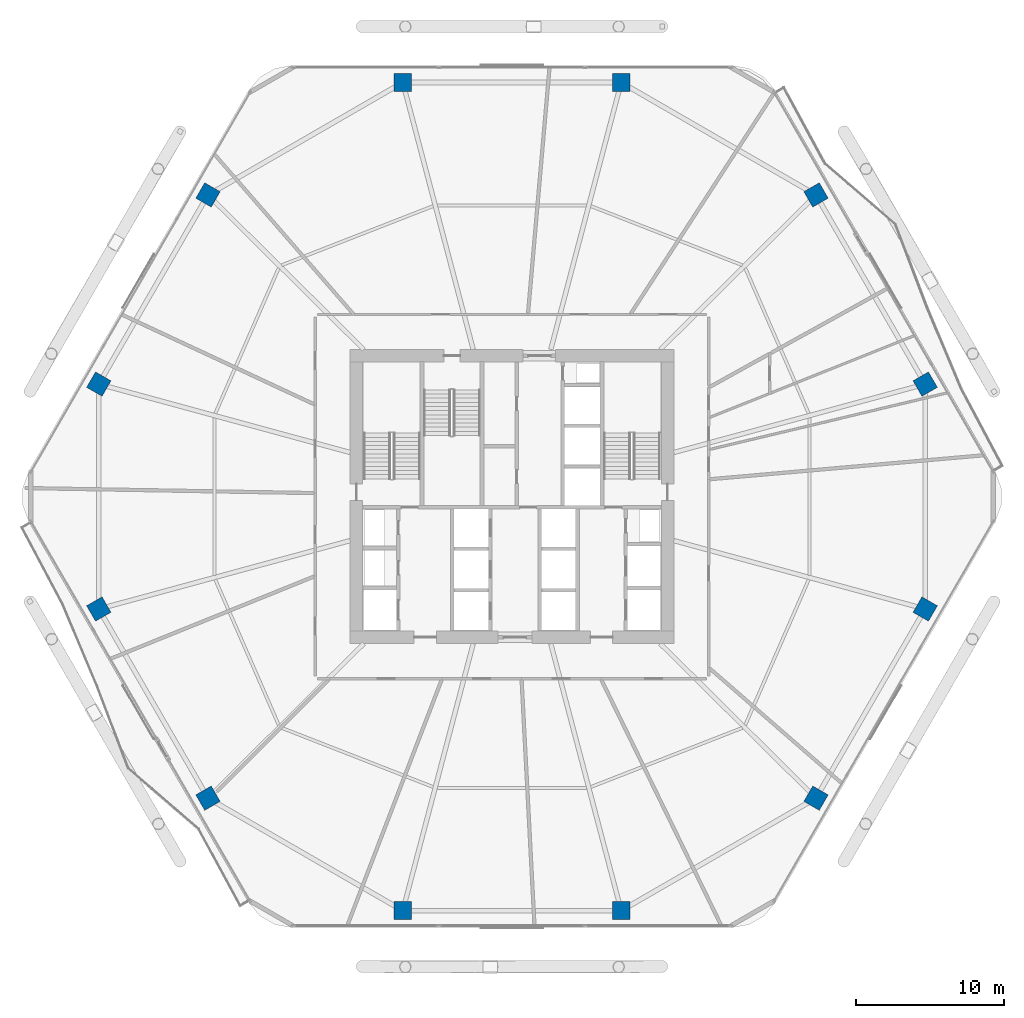
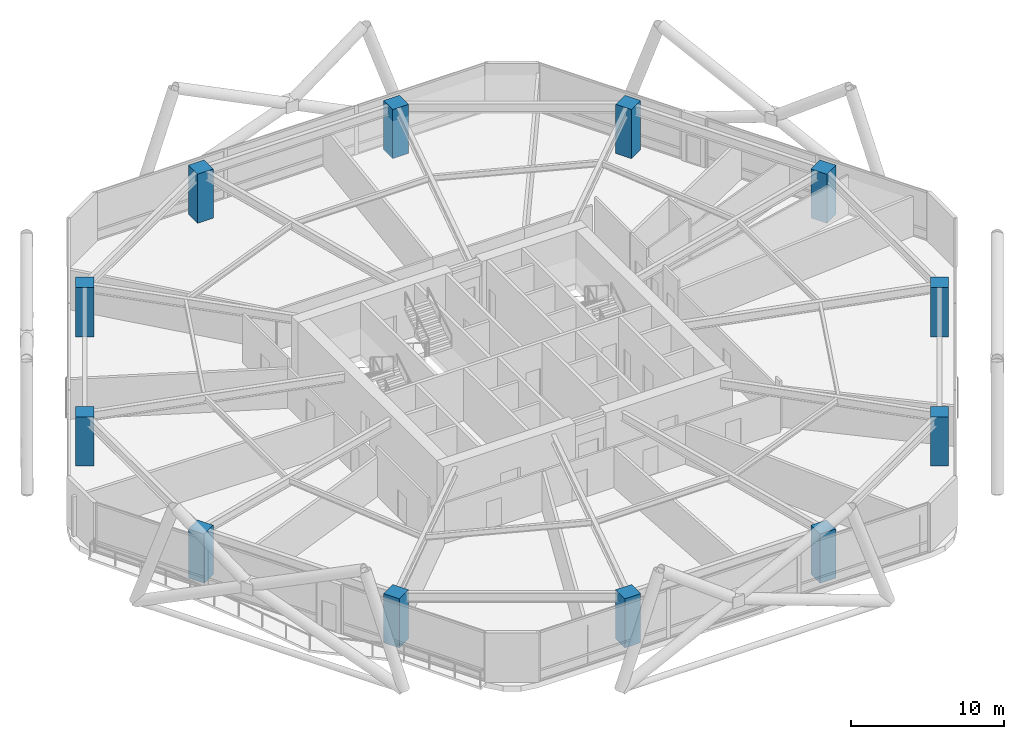
# One storey, part 1 of 31: 12 columns.
"""IFC4 building model written with IfcOpenShell, lengths in metres."""

from ifc_helpers import new_model, si_unit, direction, frame, origin, origin_2d, place, context, subcontext, project, spatial, rectangle, extrude, material, material_profile, profile_set, type_object, element, save


model = new_model("IFC4")

# Units and contexts
model_context = context("Model", 3, precision=1e-05, world=origin(), true_north=direction((0.0, 1.0)))
body_context = subcontext(model_context, "Body", "Model", "MODEL_VIEW")
ifc_project = project(units=[si_unit("LENGTHUNIT", "METRE"), si_unit("AREAUNIT", "SQUARE_METRE"), si_unit("VOLUMEUNIT", "CUBIC_METRE"), si_unit("PLANEANGLEUNIT", "RADIAN"), si_unit("MASSUNIT", "GRAM", prefix="KILO")], contexts=[model_context])

# Site, building, storey
site_placement = place(None, origin())
site = spatial("IfcSite", under=ifc_project, at=site_placement, CompositionType="ELEMENT")
building_placement = place(site_placement, origin())
building = spatial("IfcBuilding", under=site, at=building_placement, Name="Zuhravey Tower", CompositionType="ELEMENT")
storey_placement = place(building_placement, frame((0.0, 0.0, 7.800048828125)))
storey = spatial("IfcBuildingStorey", under=building, at=storey_placement, Name="L02", CompositionType="ELEMENT", Elevation=7.800048828125)

# Columns
ifc_material = material(Name="Concrete C60/75", Category="concrete")
ifc_material_profile = material_profile(ifc_material, rectangle(XDim=1.199951171875, YDim=1.199951171875, at=origin_2d()), Name="RC-1200x1200")
ifc_profile_set = profile_set([ifc_material_profile], Name="Concrete C60/75")
column_type = type_object("IfcColumnType", Name="Zone 1 Perimeter Column 1200x1200", PredefinedType="COLUMN", material=ifc_profile_set)
for number, where, z_axis, x_axis, name in (
    (1, (63.88916015625, 39.591552734375, 0.0), (0.0, 0.0, 1.0), (-0.5, 0.866025403784, 0.0), "L02 Perimeter Column PC01"),
    (2, (56.51904296875, 52.35693359375, 0.0), (0.0, 0.0, 1.0), (-0.5, 0.866025403784, 0.0), "L02 Perimeter Column PC02"),
    (3, (43.3701171875, 59.948486328125, 0.0), (0.0, 0.0, 1.0), (-1.0, 0.0, 0.0), "L02 Perimeter Column PC03"),
    (4, (28.6298828125, 59.948486328125, 0.0), (0.0, 0.0, 1.0), (-1.0, 0.0, 0.0), "L02 Perimeter Column PC04"),
    (5, (15.48095703125, 52.35693359375, 0.0), (0.0, 0.0, 1.0), (-0.5, -0.866025403784, 0.0), "L02 Perimeter Column PC05"),
    (6, (8.11083984375, 39.591552734375, 0.0), (0.0, 0.0, 1.0), (-0.5, -0.866025403784, 0.0), "L02 Perimeter Column PC06"),
    (7, (8.11083984375, 24.408447265625, 0.0), (0.0, 0.0, 1.0), (0.5, -0.866025403784, 0.0), "L02 Perimeter Column PC07"),
    (8, (15.48095703125, 11.64306640625, 0.0), (0.0, 0.0, 1.0), (0.5, -0.866025403784, 0.0), "L02 Perimeter Column PC08"),
    (9, (28.6298828125, 4.051513671875, 0.0), (0.0, 0.0, 1.0), (1.0, 0.0, 0.0), "L02 Perimeter Column PC09"),
    (10, (43.3701171875, 4.051513671875, 0.0), (0.0, 0.0, 1.0), (1.0, 0.0, 0.0), "L02 Perimeter Column PC10"),
    (11, (56.51904296875, 11.64306640625, 0.0), (0.0, 0.0, 1.0), (0.5, 0.866025403784, 0.0), "L02 Perimeter Column PC11"),
    (12, (63.88916015625, 24.408447265625, 0.0), (0.0, 0.0, 1.0), (0.5, 0.866025403784, 0.0), "L02 Perimeter Column PC12"),
):
    element("IfcColumn", number, at=place(storey_placement, frame(where, z_axis=z_axis, x_axis=x_axis)), inside=storey, type_object=column_type, Name=name, PredefinedType="COLUMN", context=body_context, shape_type="SweptSolid", body=[
        extrude(rectangle(XDim=1.199951171875, YDim=1.199951171875, at=origin_2d()), origin(), (0.0, 0.0, 1.0), 3.919921875),
    ])

save(model, "model.ifc")
